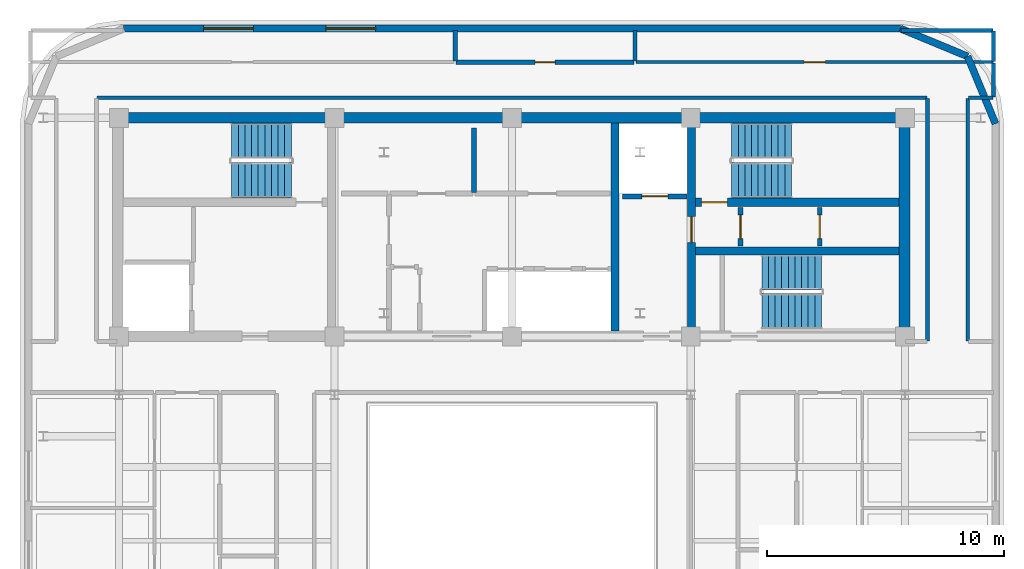
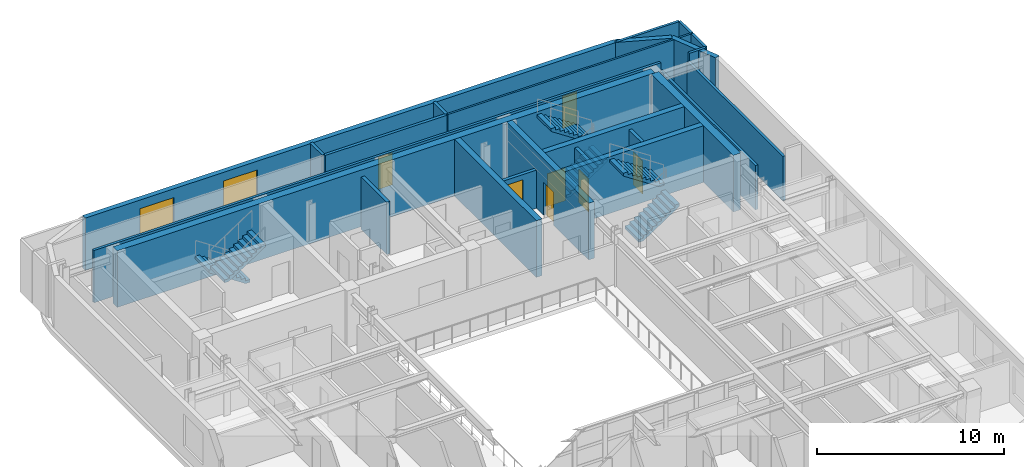
# One storey, part 11 of 14: 24 walls, 7 doors, 6 stair flights, 2 windows, 9 openings, 3 elements without a shape of their own.
"""IFC4 building model written with IfcOpenShell, lengths in metres."""

from ifc_helpers import new_model, si_unit, direction, frame, frame_2d, origin, place, context, subcontext, project, spatial, polyline, rectangle, outline, extrude, material, layer, layer_set, type_object, element, fill, aggregate, save


model = new_model("IFC4")

# Units and contexts
model_context = context("Model", 3, precision=1e-05, world=origin(), true_north=direction((0.0, 1.0)))
body_context = subcontext(model_context, "Body", "Model", "MODEL_VIEW")
ifc_project = project(units=[si_unit("LENGTHUNIT", "METRE"), si_unit("AREAUNIT", "SQUARE_METRE"), si_unit("VOLUMEUNIT", "CUBIC_METRE"), si_unit("PLANEANGLEUNIT", "RADIAN"), si_unit("MASSUNIT", "GRAM", prefix="KILO")], contexts=[model_context])

# Site, building, storey
site_placement = place(None, origin())
site = spatial("IfcSite", under=ifc_project, at=site_placement, CompositionType="ELEMENT")
building_placement = place(site_placement, origin())
building = spatial("IfcBuilding", under=site, at=building_placement, Name="Zarnavel Station Tower", CompositionType="ELEMENT")
storey_placement = place(building_placement, frame((0.0, 0.0, 251.0)))
storey = spatial("IfcBuildingStorey", under=building, at=storey_placement, Name="L68", CompositionType="ELEMENT", Elevation=251.0)

# Wall
ifc_material_1 = material(Name="Concrete C50/60", Category="concrete")
ifc_layer_1 = layer(ifc_material_1, 0.35009765625)
ifc_layer_set_1 = layer_set([ifc_layer_1], Name="CW_350")
wall_type_1 = type_object("IfcWallType", Name="CW_350", PredefinedType="SHEAR", material=ifc_layer_set_1)
wall_1_placement = place(storey_placement, frame((33.14990234375, 28.044921875, 0.0), z_axis=(0.0, 0.0, 1.0), x_axis=(0.0, 1.0, 0.0)))
element("IfcWall", 1, at=wall_1_placement, inside=storey, type_object=wall_type_1, Name="L68 Rear Core Shear Wall DIV-E", PredefinedType="SHEAR", context=body_context, shape_type="SweptSolid", body=[
    extrude(rectangle(XDim=8.780029296875, YDim=0.35009765625, at=frame_2d((4.39013671875, 0.0))), origin(), (0.0, 0.0, 1.0), 3.699951171875),
])

# Wall, opening, door
wall_2_placement = place(storey_placement, frame((36.3798828125, 28.044921875, 0.0), z_axis=(0.0, 0.0, 1.0), x_axis=(0.0, 1.0, 0.0)))
wall_2 = element("IfcWall", 2, at=wall_2_placement, inside=storey, type_object=wall_type_1, Name="L68 Rear Core Shear Wall DIV-S2", PredefinedType="SHEAR", context=body_context, shape_type="SweptSolid", body=[
    extrude(rectangle(XDim=8.780029296875, YDim=0.35009765625, at=frame_2d((4.39013671875, 0.0))), origin(), (0.0, 0.0, 1.0), 3.699951171875),
])
opening_1_placement = place(wall_2_placement, frame((3.735107421875, 0.0, 0.0)))
opening_1 = element("IfcOpeningElement", 3, at=opening_1_placement, cuts=wall_2, Name="Opening FD01", PredefinedType="OPENING", context=body_context, shape_type="SweptSolid", body=[
    extrude(rectangle(XDim=1.10009765625, YDim=2.14990234375, at=frame_2d((0.550048828125, 1.074951171875))), frame((0.0, 0.18505859375, 0.0), z_axis=(0.0, -1.0, 0.0), x_axis=(1.0, 0.0, 0.0)), (0.0, 0.0, 1.0), 0.3701171875),
])
ifc_material_2 = material(Name="Painted Galvanised Steel and Hardwood Leaf", Category="steel")
door_type_1 = type_object("IfcDoorType", Name="ID_STAIR_1100", OperationType="NOTDEFINED", PredefinedType="DOOR", material=ifc_material_2)
door_1_placement = place(opening_1_placement, origin())
door_1 = element("IfcDoor", 4, at=door_1_placement, inside=storey, type_object=door_type_1, Name="L68 East Stair Vestibule Fire Door", OperationType="SINGLE_SWING_LEFT", OverallHeight=2.14990234375, OverallWidth=1.10009765625, PredefinedType="DOOR", context=body_context, shape_type="SweptSolid", body=[
    extrude(rectangle(XDim=1.10009765625, YDim=2.14990234375, at=frame_2d((0.550048828125, 1.074951171875))), frame((0.0, 0.02490234375, 0.0), z_axis=(0.0, -1.0, 0.0), x_axis=(1.0, 0.0, 0.0)), (0.0, 0.0, 1.0), 0.050048828125),
])
fill(opening_1, door_1)

wall_3_placement = place(storey_placement, frame((45.155029296875, 33.47998046875, 0.0), z_axis=(0.0, 0.0, 1.0), x_axis=(-1.0, 0.0, 0.0)))
wall_3 = element("IfcWall", 5, at=wall_3_placement, inside=storey, type_object=wall_type_1, Name="L68 Rear Core Shear Wall DIV-H2", PredefinedType="SHEAR", context=body_context, shape_type="SweptSolid", body=[
    extrude(rectangle(XDim=8.60009765625, YDim=0.35009765625, at=frame_2d((4.300048828125, 0.0))), origin(), (0.0, 0.0, 1.0), 3.699951171875),
])
opening_2_placement = place(wall_3_placement, frame((7.2548828125, 0.0, 0.0)))
opening_2 = element("IfcOpeningElement", 6, at=opening_2_placement, cuts=wall_3, Name="Opening FD01", PredefinedType="OPENING", context=body_context, shape_type="SweptSolid", body=[
    extrude(rectangle(XDim=1.10009765625, YDim=2.14990234375, at=frame_2d((0.550048828125, 1.074951171875))), frame((0.0, 0.18505859375, 0.0), z_axis=(0.0, -1.0, 0.0), x_axis=(1.0, 0.0, 0.0)), (0.0, 0.0, 1.0), 0.3701171875),
])
door_2_placement = place(opening_2_placement, origin())
door_2 = element("IfcDoor", 7, at=door_2_placement, inside=storey, type_object=door_type_1, Name="L68 Stair ST2 Lobby Fire Door", OperationType="SINGLE_SWING_RIGHT", OverallHeight=2.14990234375, OverallWidth=1.10009765625, PredefinedType="DOOR", context=body_context, shape_type="SweptSolid", body=[
    extrude(rectangle(XDim=1.10009765625, YDim=2.14990234375, at=frame_2d((0.550048828125, 1.074951171875))), frame((0.0, 0.02490234375, 0.0), z_axis=(0.0, -1.0, 0.0), x_axis=(1.0, 0.0, 0.0)), (0.0, 0.0, 1.0), 0.050048828125),
])
fill(opening_2, door_2)

# Walls
wall_4_placement = place(storey_placement, frame((36.554931640625, 31.419921875, 0.0), z_axis=(0.0, 0.0, 1.0), x_axis=(1.0, 0.0, 0.0)))
element("IfcWall", 8, at=wall_4_placement, inside=storey, type_object=wall_type_1, Name="L68 Rear Core Shear Wall DIV-H3", PredefinedType="SHEAR", context=body_context, shape_type="SweptSolid", body=[
    extrude(rectangle(XDim=8.60009765625, YDim=0.35009765625, at=frame_2d((4.300048828125, 0.0))), origin(), (0.0, 0.0, 1.0), 3.699951171875),
])
ifc_material_3 = material(Name="Concrete C50/60", Category="concrete")
ifc_layer_2 = layer(ifc_material_3, 0.449951171875)
ifc_layer_set_2 = layer_set([ifc_layer_2], Name="CW_450")
wall_type_2 = type_object("IfcWallType", Name="CW_450", PredefinedType="SHEAR", material=ifc_layer_set_2)
wall_5_placement = place(storey_placement, frame((12.14990234375, 37.050048828125, 0.0), z_axis=(0.0, 0.0, 1.0), x_axis=(1.0, 0.0, 0.0)))
element("IfcWall", 9, at=wall_5_placement, inside=storey, type_object=wall_type_2, Name="L68 Rear Core Shear Wall N", PredefinedType="SHEAR", context=body_context, shape_type="SweptSolid", body=[
    extrude(rectangle(XDim=33.22998046875, YDim=0.449951171875, at=frame_2d((16.614990234375, 0.0))), origin(), (0.0, 0.0, 1.0), 3.699951171875),
])
wall_6_placement = place(storey_placement, frame((45.3798828125, 28.044921875, 0.0), z_axis=(0.0, 0.0, 1.0), x_axis=(0.0, 1.0, 0.0)))
element("IfcWall", 10, at=wall_6_placement, inside=storey, type_object=wall_type_2, Name="L68 Rear Core Shear Wall E", PredefinedType="SHEAR", context=body_context, shape_type="SweptSolid", body=[
    extrude(rectangle(XDim=8.780029296875, YDim=0.449951171875, at=frame_2d((4.39013671875, 0.0))), origin(), (0.0, 0.0, 1.0), 3.699951171875),
])
ifc_material_4 = material(Name="Precast concrete C45/55 (Dark Basalt Finish)", Category="masonry")
ifc_layer_3 = layer(ifc_material_4, 0.300048828125)
ifc_layer_set_3 = layer_set([ifc_layer_3], Name="EW_BASALT_300")
wall_type_3 = type_object("IfcWallType", Name="EW_BASALT_300", PredefinedType="SOLIDWALL", material=ifc_layer_set_3)
for number, where, z_axis, x_axis, name in (
    (11, (48.04248046875, 39.642578125, 0.0), (0.0, 0.0, 1.0), (0.382704529509, -0.923870793506, 0.0), "L68 Exterior Basalt Masonry Frame Wall 04"),
    (12, (45.199951171875, 40.820068359375, 0.0), (0.0, 0.0, 1.0), (0.923870793506, -0.382704529509, 0.0), "L68 Exterior Basalt Masonry Frame Wall 05"),
):
    element("IfcWall", number, at=place(storey_placement, frame(where, z_axis=z_axis, x_axis=x_axis)), inside=storey, type_object=wall_type_3, Name=name, PredefinedType="SOLIDWALL", context=body_context, shape_type="SweptSolid", body=[
        extrude(rectangle(XDim=3.07666015625, YDim=0.300048828125, at=frame_2d((1.538330078125, 0.0))), origin(), (0.0, 0.0, 1.0), 3.419921875),
    ])

# Wall, openings, windows
wall_7_placement = place(storey_placement, frame((12.39990234375, 40.820068359375, 0.0), z_axis=(0.0, 0.0, 1.0), x_axis=(1.0, 0.0, 0.0)))
wall_7 = element("IfcWall", 13, at=wall_7_placement, inside=storey, type_object=wall_type_3, Name="L68 Exterior Basalt Masonry Frame Wall 06", PredefinedType="SOLIDWALL", context=body_context, shape_type="SweptSolid", body=[
    extrude(rectangle(XDim=32.800048828125, YDim=0.300048828125, at=frame_2d((16.39990234375, 0.0))), origin(), (0.0, 0.0, 1.0), 3.419921875),
])
opening_3_placement = place(wall_7_placement, frame((3.3798828125, 0.0, 0.75)))
opening_3 = element("IfcOpeningElement", 14, at=opening_3_placement, cuts=wall_7, Name="Opening WN05", PredefinedType="OPENING", context=body_context, shape_type="SweptSolid", body=[
    extrude(rectangle(XDim=2.10009765625, YDim=2.10009765625, at=frame_2d((1.050048828125, 1.050048828125))), frame((0.0, 0.159912109375, 0.0), z_axis=(0.0, -1.0, 0.0), x_axis=(1.0, 0.0, 0.0)), (0.0, 0.0, 1.0), 0.320068359375),
])
opening_4_placement = place(wall_7_placement, frame((8.5400390625, 0.0, 0.75)))
opening_4 = element("IfcOpeningElement", 15, at=opening_4_placement, cuts=wall_7, Name="Opening WN05", PredefinedType="OPENING", context=body_context, shape_type="SweptSolid", body=[
    extrude(rectangle(XDim=2.10009765625, YDim=2.10009765625, at=frame_2d((1.050048828125, 1.050048828125))), frame((0.0, 0.159912109375, 0.0), z_axis=(0.0, -1.0, 0.0), x_axis=(1.0, 0.0, 0.0)), (0.0, 0.0, 1.0), 0.320068359375),
])
ifc_material_5 = material(Name="Thermally Broken Black Aluminium and Low-E Dark Glass", Category="aluminium")
window_type = type_object("IfcWindowType", Name="WN_2100x2100", PartitioningType="TRIPLE_PANEL_VERTICAL", PredefinedType="WINDOW", material=ifc_material_5)
window_1_placement = place(opening_3_placement, origin())
window_1 = element("IfcWindow", 16, at=window_1_placement, inside=storey, type_object=window_type, Name="L68 Recessed Facade Window 01", OverallHeight=2.10009765625, OverallWidth=2.10009765625, PartitioningType="SINGLE_PANEL", PredefinedType="WINDOW", context=body_context, shape_type="SweptSolid", body=[
    extrude(rectangle(XDim=2.10009765625, YDim=2.10009765625, at=frame_2d((1.050048828125, 1.050048828125))), frame((0.0, 0.030029296875, 0.0), z_axis=(0.0, -1.0, 0.0), x_axis=(1.0, 0.0, 0.0)), (0.0, 0.0, 1.0), 0.06005859375),
])
fill(opening_3, window_1)
window_2_placement = place(opening_4_placement, origin())
window_2 = element("IfcWindow", 17, at=window_2_placement, inside=storey, type_object=window_type, Name="L68 Recessed Facade Window 02", OverallHeight=2.10009765625, OverallWidth=2.10009765625, PartitioningType="SINGLE_PANEL", PredefinedType="WINDOW", context=body_context, shape_type="SweptSolid", body=[
    extrude(rectangle(XDim=2.10009765625, YDim=2.10009765625, at=frame_2d((1.050048828125, 1.050048828125))), frame((0.0, 0.030029296875, 0.0), z_axis=(0.0, -1.0, 0.0), x_axis=(1.0, 0.0, 0.0)), (0.0, 0.0, 1.0), 0.06005859375),
])
fill(opening_4, window_2)

# Walls
ifc_material_6 = material(Name="Gypsum Twin-Stud Acoustic Fire Partition", Category="concrete")
ifc_layer_4 = layer(ifc_material_6, 0.159912109375)
ifc_layer_set_4 = layer_set([ifc_layer_4], Name="PT_DEMISE_160")
wall_type_4 = type_object("IfcWallType", Name="PT_DEMISE_160", PredefinedType="PARTITIONING", material=ifc_layer_set_4)
for number, where, z_axis, x_axis, name in (
    (18, (46.35009765625, 27.6298828125, 0.0), (0.0, 0.0, 1.0), (0.0, 1.0, 0.0), "L68 Enclosure Wall COR-E"),
    (19, (48.050048828125, 27.6298828125, 0.0), (0.0, 0.0, 1.0), (0.0, 1.0, 0.0), "L68 Enclosure Wall COR-E"),
):
    element("IfcWall", number, at=place(storey_placement, frame(where, z_axis=z_axis, x_axis=x_axis)), inside=storey, type_object=wall_type_4, Name=name, PredefinedType="PARTITIONING", context=body_context, shape_type="SweptSolid", body=[
        extrude(rectangle(XDim=10.240234375, YDim=0.159912109375, at=frame_2d((5.1201171875, 0.0))), origin(), (0.0, 0.0, 1.0), 2.89990234375),
    ])
wall_8_placement = place(storey_placement, frame((11.280029296875, 37.89990234375, 0.0), z_axis=(0.0, 0.0, 1.0), x_axis=(1.0, 0.0, 0.0)))
element("IfcWall", 20, at=wall_8_placement, inside=storey, type_object=wall_type_4, Name="L68 Enclosure Wall COR-N", PredefinedType="PARTITIONING", context=body_context, shape_type="SweptSolid", body=[
    extrude(rectangle(XDim=35.0400390625, YDim=0.159912109375, at=frame_2d((17.52001953125, 0.0))), origin(), (0.0, 0.0, 1.0), 3.419921875),
])
wall_9_placement = place(storey_placement, frame((48.080078125, 37.89990234375, 0.0), z_axis=(0.0, 0.0, 1.0), x_axis=(1.0, 0.0, 0.0)))
element("IfcWall", 21, at=wall_9_placement, inside=storey, type_object=wall_type_4, Name="L68 Enclosure Wall COR-N", PredefinedType="PARTITIONING", context=body_context, shape_type="SweptSolid", body=[
    extrude(rectangle(XDim=1.030029296875, YDim=0.159912109375, at=frame_2d((0.51513671875, 0.0))), origin(), (0.0, 0.0, 1.0), 3.419921875),
])
wall_10_placement = place(storey_placement, frame((49.139892578125, 37.929931640625, 0.0), z_axis=(0.0, 0.0, 1.0), x_axis=(0.0, 1.0, 0.0)))
element("IfcWall", 22, at=wall_10_placement, inside=storey, type_object=wall_type_4, Name="L68 Enclosure Wall COR-N", PredefinedType="PARTITIONING", context=body_context, shape_type="SweptSolid", body=[
    extrude(rectangle(XDim=1.440185546875, YDim=0.159912109375, at=frame_2d((0.72021484375, 0.0))), origin(), (0.0, 0.0, 1.0), 3.419921875),
])
wall_11_placement = place(storey_placement, frame((45.22998046875, 40.739990234375, 0.0), z_axis=(0.0, 0.0, 1.0), x_axis=(1.0, 0.0, 0.0)))
element("IfcWall", 23, at=wall_11_placement, inside=storey, type_object=wall_type_4, Name="L68 Enclosure Wall NSTR", PredefinedType="PARTITIONING", context=body_context, shape_type="SweptSolid", body=[
    extrude(rectangle(XDim=3.880126953125, YDim=0.159912109375, at=frame_2d((1.93994140625, 0.0))), origin(), (0.0, 0.0, 1.0), 3.419921875),
])
wall_12_placement = place(storey_placement, frame((49.139892578125, 39.429931640625, 0.0), z_axis=(0.0, 0.0, 1.0), x_axis=(0.0, 1.0, 0.0)))
element("IfcWall", 24, at=wall_12_placement, inside=storey, type_object=wall_type_4, Name="L68 Enclosure Wall NSTR", PredefinedType="PARTITIONING", context=body_context, shape_type="SweptSolid", body=[
    extrude(rectangle(XDim=1.280029296875, YDim=0.159912109375, at=frame_2d((0.64013671875, 0.0))), origin(), (0.0, 0.0, 1.0), 3.419921875),
])

# Wall, opening, door
ifc_material_7 = material(Name="Gypsum Metal-Stud Interior Partition", Category="concrete")
ifc_layer_5 = layer(ifc_material_7, 0.1201171875)
ifc_layer_set_5 = layer_set([ifc_layer_5], Name="PT_ROOM_120")
wall_type_5 = type_object("IfcWallType", Name="PT_ROOM_120", PredefinedType="PARTITIONING", material=ifc_layer_set_5)
wall_13_placement = place(storey_placement, frame((34.0400390625, 39.39990234375, 0.0), z_axis=(0.0, 0.0, 1.0), x_axis=(1.0, 0.0, 0.0)))
wall_13 = element("IfcWall", 25, at=wall_13_placement, inside=storey, type_object=wall_type_5, Name="L68 Partition COR-N-NSTR", PredefinedType="PARTITIONING", context=body_context, shape_type="SweptSolid", body=[
    extrude(rectangle(XDim=15.099853515625, YDim=0.1201171875, at=frame_2d((7.5498046875, 0.0))), origin(), (0.0, 0.0, 1.0), 3.419921875),
])
opening_5_placement = place(wall_13_placement, frame((7.10009765625, 0.0, 0.0)))
opening_5 = element("IfcOpeningElement", 26, at=opening_5_placement, cuts=wall_13, Name="Opening ID01", PredefinedType="OPENING", context=body_context, shape_type="SweptSolid", body=[
    extrude(rectangle(XDim=0.89990234375, YDim=2.10009765625, at=frame_2d((0.449951171875, 1.050048828125))), frame((0.0, 0.070068359375, 0.0), z_axis=(0.0, -1.0, 0.0), x_axis=(1.0, 0.0, 0.0)), (0.0, 0.0, 1.0), 0.14013671875),
])
ifc_material_8 = material(Name="Painted Galvanised Steel and Hardwood Leaf", Category="steel")
door_type_2 = type_object("IfcDoorType", Name="ID_ROOM_900", OperationType="NOTDEFINED", PredefinedType="DOOR", material=ifc_material_8)
door_3_placement = place(opening_5_placement, origin())
door_3 = element("IfcDoor", 27, at=door_3_placement, inside=storey, type_object=door_type_2, Name="L68 Door COR-N-NSTR", OperationType="SINGLE_SWING_RIGHT", OverallHeight=2.10009765625, OverallWidth=0.89990234375, PredefinedType="DOOR", context=body_context, shape_type="SweptSolid", body=[
    extrude(rectangle(XDim=0.89990234375, YDim=2.10009765625, at=frame_2d((0.449951171875, 1.050048828125))), frame((0.0, 0.02490234375, 0.0), z_axis=(0.0, -1.0, 0.0), x_axis=(1.0, 0.0, 0.0)), (0.0, 0.0, 1.0), 0.050048828125),
])
fill(opening_5, door_3)

ifc_material_9 = material(Name="Precast concrete C45/55 (Fire Shaft Blockwork)", Category="masonry")
ifc_layer_6 = layer(ifc_material_9, 0.199951171875)
ifc_layer_set_6 = layer_set([ifc_layer_6], Name="PT_SHAFT_200")
wall_type_6 = type_object("IfcWallType", Name="PT_SHAFT_200", PredefinedType="PARTITIONING", material=ifc_layer_set_6)
wall_14_placement = place(storey_placement, frame((33.47509765625, 33.72998046875, 0.0), z_axis=(0.0, 0.0, 1.0), x_axis=(1.0, 0.0, 0.0)))
wall_14 = element("IfcWall", 28, at=wall_14_placement, inside=storey, type_object=wall_type_6, Name="L68 Lift FFL-02 Shaft Front Wall", PredefinedType="PARTITIONING", context=body_context, shape_type="SweptSolid", body=[
    extrude(rectangle(XDim=2.724853515625, YDim=0.199951171875, at=frame_2d((1.3623046875, 0.0))), origin(), (0.0, 0.0, 1.0), 2.489990234375),
])
opening_6_placement = place(wall_14_placement, frame((0.8125, 0.0, 0.0)))
opening_6 = element("IfcOpeningElement", 29, at=opening_6_placement, cuts=wall_14, Name="Opening LD01", PredefinedType="OPENING", context=body_context, shape_type="SweptSolid", body=[
    extrude(rectangle(XDim=1.10009765625, YDim=2.14990234375, at=frame_2d((0.550048828125, 1.074951171875))), frame((0.0, 0.10986328125, 0.0), z_axis=(0.0, -1.0, 0.0), x_axis=(1.0, 0.0, 0.0)), (0.0, 0.0, 1.0), 0.219970703125),
])
ifc_material_10 = material(Name="Painted Galvanised Steel and Hardwood Leaf", Category="steel")
door_type_3 = type_object("IfcDoorType", Name="LD_FF_1100", OperationType="DOUBLE_DOOR_SLIDING", PredefinedType="DOOR", material=ifc_material_10)
door_4_placement = place(opening_6_placement, origin())
door_4 = element("IfcDoor", 30, at=door_4_placement, inside=storey, type_object=door_type_3, Name="L68 Lift FFL-02 Sliding Landing Door", OperationType="DOUBLE_DOOR_SLIDING", OverallHeight=2.14990234375, OverallWidth=1.10009765625, PredefinedType="DOOR", context=body_context, shape_type="SweptSolid", body=[
    extrude(rectangle(XDim=1.10009765625, YDim=2.14990234375, at=frame_2d((0.550048828125, 1.074951171875))), frame((0.0, 0.02490234375, 0.0), z_axis=(0.0, -1.0, 0.0), x_axis=(1.0, 0.0, 0.0)), (0.0, 0.0, 1.0), 0.050048828125),
])
fill(opening_6, door_4)

wall_15_placement = place(storey_placement, frame((38.449951171875, 31.639892578125, 0.0), z_axis=(0.0, 0.0, 1.0), x_axis=(0.0, 1.0, 0.0)))
wall_15 = element("IfcWall", 31, at=wall_15_placement, inside=storey, type_object=wall_type_6, Name="L68 Partition ESTV-CEA", PredefinedType="PARTITIONING", context=body_context, shape_type="SweptSolid", body=[
    extrude(rectangle(XDim=1.6201171875, YDim=0.199951171875, at=frame_2d((0.81005859375, 0.0))), origin(), (0.0, 0.0, 1.0), 3.419921875),
])
opening_7_placement = place(wall_15_placement, frame((0.31005859375, 0.0, 0.0)))
opening_7 = element("IfcOpeningElement", 32, at=opening_7_placement, cuts=wall_15, Name="Opening FD02", PredefinedType="OPENING", context=body_context, shape_type="SweptSolid", body=[
    extrude(rectangle(XDim=1.0, YDim=2.14990234375, at=frame_2d((0.5, 1.074951171875))), frame((0.0, 0.10986328125, 0.0), z_axis=(0.0, -1.0, 0.0), x_axis=(1.0, 0.0, 0.0)), (0.0, 0.0, 1.0), 0.219970703125),
])
ifc_material_11 = material(Name="Painted Galvanised Steel and Hardwood Leaf", Category="steel")
door_type_4 = type_object("IfcDoorType", Name="ID_ENTRY_1000", OperationType="NOTDEFINED", PredefinedType="DOOR", material=ifc_material_11)
door_5_placement = place(opening_7_placement, origin())
door_5 = element("IfcDoor", 33, at=door_5_placement, inside=storey, type_object=door_type_4, Name="L68 Door ESTV-CEA", OperationType="SINGLE_SWING_LEFT", OverallHeight=2.14990234375, OverallWidth=1.0, PredefinedType="DOOR", context=body_context, shape_type="SweptSolid", body=[
    extrude(rectangle(XDim=1.0, YDim=2.14990234375, at=frame_2d((0.5, 1.074951171875))), frame((0.0, 0.02490234375, 0.0), z_axis=(0.0, -1.0, 0.0), x_axis=(1.0, 0.0, 0.0)), (0.0, 0.0, 1.0), 0.050048828125),
])
fill(opening_7, door_5)

wall_16_placement = place(storey_placement, frame((41.800048828125, 31.639892578125, 0.0), z_axis=(0.0, 0.0, 1.0), x_axis=(0.0, 1.0, 0.0)))
wall_16 = element("IfcWall", 34, at=wall_16_placement, inside=storey, type_object=wall_type_6, Name="L68 Partition CEA-CEB", PredefinedType="PARTITIONING", context=body_context, shape_type="SweptSolid", body=[
    extrude(rectangle(XDim=1.6201171875, YDim=0.199951171875, at=frame_2d((0.81005859375, 0.0))), origin(), (0.0, 0.0, 1.0), 3.419921875),
])
opening_8_placement = place(wall_16_placement, frame((0.31005859375, 0.0, 0.0)))
opening_8 = element("IfcOpeningElement", 35, at=opening_8_placement, cuts=wall_16, Name="Opening FD02", PredefinedType="OPENING", context=body_context, shape_type="SweptSolid", body=[
    extrude(rectangle(XDim=1.0, YDim=2.14990234375, at=frame_2d((0.5, 1.074951171875))), frame((0.0, 0.10986328125, 0.0), z_axis=(0.0, -1.0, 0.0), x_axis=(1.0, 0.0, 0.0)), (0.0, 0.0, 1.0), 0.219970703125),
])
door_6_placement = place(opening_8_placement, origin())
door_6 = element("IfcDoor", 36, at=door_6_placement, inside=storey, type_object=door_type_4, Name="L68 Door CEA-CEB", OperationType="SINGLE_SWING_RIGHT", OverallHeight=2.14990234375, OverallWidth=1.0, PredefinedType="DOOR", context=body_context, shape_type="SweptSolid", body=[
    extrude(rectangle(XDim=1.0, YDim=2.14990234375, at=frame_2d((0.5, 1.074951171875))), frame((0.0, 0.02490234375, 0.0), z_axis=(0.0, -1.0, 0.0), x_axis=(1.0, 0.0, 0.0)), (0.0, 0.0, 1.0), 0.050048828125),
])
fill(opening_8, door_6)

# Wall
wall_17_placement = place(storey_placement, frame((27.199951171875, 33.889892578125, 0.0), z_axis=(0.0, 0.0, 1.0), x_axis=(0.0, 1.0, 0.0)))
element("IfcWall", 37, at=wall_17_placement, inside=storey, type_object=wall_type_6, Name="L68 Partition FB2A-FB2B", PredefinedType="PARTITIONING", context=body_context, shape_type="SweptSolid", body=[
    extrude(rectangle(XDim=2.72021484375, YDim=0.199951171875, at=frame_2d((1.360107421875, 0.0))), origin(), (0.0, 0.0, 1.0), 3.419921875),
])

# Wall, opening, door
ifc_material_12 = material(Name="Moisture-Resistant Plumbing Chase Wall", Category="concrete")
ifc_layer_7 = layer(ifc_material_12, 0.179931640625)
ifc_layer_set_7 = layer_set([ifc_layer_7], Name="PW_PLUMB_180")
wall_type_7 = type_object("IfcWallType", Name="PW_PLUMB_180", PredefinedType="PLUMBINGWALL", material=ifc_layer_set_7)
wall_18_placement = place(storey_placement, frame((26.43994140625, 39.39990234375, 0.0), z_axis=(0.0, 0.0, 1.0), x_axis=(1.0, 0.0, 0.0)))
wall_18 = element("IfcWall", 38, at=wall_18_placement, inside=storey, type_object=wall_type_7, Name="L68 Partition COR-N-NWC", PredefinedType="PLUMBINGWALL", context=body_context, shape_type="SweptSolid", body=[
    extrude(rectangle(XDim=7.52001953125, YDim=0.179931640625, at=frame_2d((3.760009765625, 0.0))), origin(), (0.0, 0.0, 1.0), 3.419921875),
])
opening_9_placement = place(wall_18_placement, frame((3.3349609375, 0.0, 0.0)))
opening_9 = element("IfcOpeningElement", 39, at=opening_9_placement, cuts=wall_18, Name="Opening ID02", PredefinedType="OPENING", context=body_context, shape_type="SweptSolid", body=[
    extrude(rectangle(XDim=0.85009765625, YDim=2.10009765625, at=frame_2d((0.425048828125, 1.050048828125))), frame((0.0, 0.099853515625, 0.0), z_axis=(0.0, -1.0, 0.0), x_axis=(1.0, 0.0, 0.0)), (0.0, 0.0, 1.0), 0.199951171875),
])
ifc_material_13 = material(Name="Painted Galvanised Steel and Hardwood Leaf", Category="steel")
door_type_5 = type_object("IfcDoorType", Name="ID_BATH_850", OperationType="NOTDEFINED", PredefinedType="DOOR", material=ifc_material_13)
door_7_placement = place(opening_9_placement, origin())
door_7 = element("IfcDoor", 40, at=door_7_placement, inside=storey, type_object=door_type_5, Name="L68 Door COR-N-NWC", OperationType="SINGLE_SWING_LEFT", OverallHeight=2.10009765625, OverallWidth=0.85009765625, PredefinedType="DOOR", context=body_context, shape_type="SweptSolid", body=[
    extrude(rectangle(XDim=0.85009765625, YDim=2.10009765625, at=frame_2d((0.425048828125, 1.050048828125))), frame((0.0, 0.02490234375, 0.0), z_axis=(0.0, -1.0, 0.0), x_axis=(1.0, 0.0, 0.0)), (0.0, 0.0, 1.0), 0.050048828125),
])
fill(opening_9, door_7)

# Walls
for number, where, z_axis, x_axis, name in (
    (41, (26.39990234375, 39.43994140625, 0.0), (0.0, 0.0, 1.0), (0.0, 1.0, 0.0), "L68 Partition NSTD-NWC"),
    (42, (34.0, 39.43994140625, 0.0), (0.0, 0.0, 1.0), (0.0, 1.0, 0.0), "L68 Partition NWC-NSTR"),
):
    element("IfcWall", number, at=place(storey_placement, frame(where, z_axis=z_axis, x_axis=x_axis)), inside=storey, type_object=wall_type_7, Name=name, PredefinedType="PLUMBINGWALL", context=body_context, shape_type="SweptSolid", body=[
        extrude(rectangle(XDim=1.300048828125, YDim=0.179931640625, at=frame_2d((0.64990234375, 0.0))), origin(), (0.0, 0.0, 1.0), 3.419921875),
    ])

# Stair, stair flights
ifc_material_14 = material(Name="Concrete C45/55", Category="concrete")
stair_type = type_object("IfcStairType", Name="ST_CORE_150", PredefinedType="HALF_TURN_STAIR", material=ifc_material_14)
stair_1_placement = place(storey_placement, origin())
stair_1 = element("IfcStair", 43, at=stair_1_placement, inside=storey, type_object=stair_type, Name="L68 Core Exit Stair ST1", PredefinedType="HALF_TURN_STAIR")
ifc_material_15 = material(Name="Concrete C45/55", Category="concrete")
ifc_layer_8 = layer(ifc_material_15, 0.179931640625)
ifc_layer_set_8 = layer_set([ifc_layer_8], Name="ST_CORE_150_FLT")
stair_flight_type = type_object("IfcStairFlightType", Name="ST_CORE_150_FLT", PredefinedType="STRAIGHT", material=ifc_layer_set_8)
stair_flight_1_placement = place(storey_placement, frame((19.47998046875, 36.070068359375, 0.0), z_axis=(0.0, 0.0, 1.0), x_axis=(-1.0, 0.0, 0.0)))
stair_flight_1 = element("IfcStairFlight", 44, at=stair_flight_1_placement, type_object=stair_flight_type, Name="ST1 flight 1", NumberOfRisers=10, NumberOfTreads=9, PredefinedType="STRAIGHT", RiserHeight=0.185, TreadLength=0.28, context=body_context, shape_type="SweptSolid", body=[
    extrude(outline(polyline([(0.0, 0.0), (0.0, 0.18505859375), (0.280029296875, 0.18505859375), (0.280029296875, 0.3701171875), (0.56005859375, 0.3701171875), (0.56005859375, 0.554931640625), (0.840087890625, 0.554931640625), (0.840087890625, 0.739990234375), (1.1201171875, 0.739990234375), (1.1201171875, 0.925048828125), (1.39990234375, 0.925048828125), (1.39990234375, 1.110107421875), (1.679931640625, 1.110107421875), (1.679931640625, 1.294921875), (1.9599609375, 1.294921875), (1.9599609375, 1.47998046875), (2.239990234375, 1.47998046875), (2.239990234375, 1.6650390625), (2.52001953125, 1.6650390625), (2.52001953125, 1.85009765625), (2.52001953125, 1.4853515625), (0.27197265625, 0.0), (0.0, 0.0)])), frame((0.0, 0.75, 0.0), z_axis=(0.0, -1.0, 0.0), x_axis=(1.0, 0.0, 0.0)), (0.0, 0.0, 1.0), 1.5),
])
stair_flight_2_placement = place(storey_placement, frame((16.9599609375, 34.409912109375, 1.85009765625), z_axis=(0.0, 0.0, 1.0), x_axis=(1.0, 0.0, 0.0)))
stair_flight_2 = element("IfcStairFlight", 45, at=stair_flight_2_placement, type_object=stair_flight_type, Name="ST1 flight 2", NumberOfRisers=10, NumberOfTreads=9, PredefinedType="STRAIGHT", RiserHeight=0.185, TreadLength=0.28, context=body_context, shape_type="SweptSolid", body=[
    extrude(outline(polyline([(0.0, 0.0), (0.0, 0.18505859375), (0.280029296875, 0.18505859375), (0.280029296875, 0.3701171875), (0.56005859375, 0.3701171875), (0.56005859375, 0.554931640625), (0.840087890625, 0.554931640625), (0.840087890625, 0.739990234375), (1.1201171875, 0.739990234375), (1.1201171875, 0.925048828125), (1.39990234375, 0.925048828125), (1.39990234375, 1.110107421875), (1.679931640625, 1.110107421875), (1.679931640625, 1.294921875), (1.9599609375, 1.294921875), (1.9599609375, 1.47998046875), (2.239990234375, 1.47998046875), (2.239990234375, 1.6650390625), (2.52001953125, 1.6650390625), (2.52001953125, 1.85009765625), (2.52001953125, 1.4853515625), (0.27197265625, 0.0), (0.0, 0.0)])), frame((0.0, 0.75, 0.0), z_axis=(0.0, -1.0, 0.0), x_axis=(1.0, 0.0, 0.0)), (0.0, 0.0, 1.0), 1.5),
])
aggregate(stair_1, [stair_flight_1, stair_flight_2])

stair_2_placement = place(storey_placement, origin())
stair_2 = element("IfcStair", 46, at=stair_2_placement, inside=storey, type_object=stair_type, Name="L68 Core Exit Stair ST2", PredefinedType="HALF_TURN_STAIR")
stair_flight_3_placement = place(storey_placement, frame((38.080078125, 34.409912109375, 0.0), z_axis=(0.0, 0.0, 1.0), x_axis=(1.0, 0.0, 0.0)))
stair_flight_3 = element("IfcStairFlight", 47, at=stair_flight_3_placement, type_object=stair_flight_type, Name="ST2 flight 1", NumberOfRisers=10, NumberOfTreads=9, PredefinedType="STRAIGHT", RiserHeight=0.185, TreadLength=0.28, context=body_context, shape_type="SweptSolid", body=[
    extrude(outline(polyline([(0.0, 0.0), (0.0, 0.18505859375), (0.280029296875, 0.18505859375), (0.280029296875, 0.3701171875), (0.56005859375, 0.3701171875), (0.56005859375, 0.554931640625), (0.840087890625, 0.554931640625), (0.840087890625, 0.739990234375), (1.1201171875, 0.739990234375), (1.1201171875, 0.925048828125), (1.39990234375, 0.925048828125), (1.39990234375, 1.110107421875), (1.679931640625, 1.110107421875), (1.679931640625, 1.294921875), (1.9599609375, 1.294921875), (1.9599609375, 1.47998046875), (2.239990234375, 1.47998046875), (2.239990234375, 1.6650390625), (2.52001953125, 1.6650390625), (2.52001953125, 1.85009765625), (2.52001953125, 1.4853515625), (0.27197265625, 0.0), (0.0, 0.0)])), frame((0.0, 0.75, 0.0), z_axis=(0.0, -1.0, 0.0), x_axis=(1.0, 0.0, 0.0)), (0.0, 0.0, 1.0), 1.5),
])
stair_flight_4_placement = place(storey_placement, frame((40.60009765625, 36.070068359375, 1.85009765625), z_axis=(0.0, 0.0, 1.0), x_axis=(-1.0, 0.0, 0.0)))
stair_flight_4 = element("IfcStairFlight", 48, at=stair_flight_4_placement, type_object=stair_flight_type, Name="ST2 flight 2", NumberOfRisers=10, NumberOfTreads=9, PredefinedType="STRAIGHT", RiserHeight=0.185, TreadLength=0.28, context=body_context, shape_type="SweptSolid", body=[
    extrude(outline(polyline([(0.0, 0.0), (0.0, 0.18505859375), (0.280029296875, 0.18505859375), (0.280029296875, 0.3701171875), (0.56005859375, 0.3701171875), (0.56005859375, 0.554931640625), (0.840087890625, 0.554931640625), (0.840087890625, 0.739990234375), (1.1201171875, 0.739990234375), (1.1201171875, 0.925048828125), (1.39990234375, 0.925048828125), (1.39990234375, 1.110107421875), (1.679931640625, 1.110107421875), (1.679931640625, 1.294921875), (1.9599609375, 1.294921875), (1.9599609375, 1.47998046875), (2.239990234375, 1.47998046875), (2.239990234375, 1.6650390625), (2.52001953125, 1.6650390625), (2.52001953125, 1.85009765625), (2.52001953125, 1.4853515625), (0.27197265625, 0.0), (0.0, 0.0)])), frame((0.0, 0.75, 0.0), z_axis=(0.0, -1.0, 0.0), x_axis=(1.0, 0.0, 0.0)), (0.0, 0.0, 1.0), 1.5),
])
aggregate(stair_2, [stair_flight_3, stair_flight_4])

stair_3_placement = place(storey_placement, origin())
stair_3 = element("IfcStair", 49, at=stair_3_placement, inside=storey, type_object=stair_type, Name="L68 Core Exit Stair ST3", PredefinedType="HALF_TURN_STAIR")
stair_flight_5_placement = place(storey_placement, frame((39.35009765625, 28.8701171875, 0.0), z_axis=(0.0, 0.0, 1.0), x_axis=(1.0, 0.0, 0.0)))
stair_flight_5 = element("IfcStairFlight", 50, at=stair_flight_5_placement, type_object=stair_flight_type, Name="ST3 flight 1", NumberOfRisers=10, NumberOfTreads=9, PredefinedType="STRAIGHT", RiserHeight=0.185, TreadLength=0.28, context=body_context, shape_type="SweptSolid", body=[
    extrude(outline(polyline([(0.0, 0.0), (0.0, 0.18505859375), (0.280029296875, 0.18505859375), (0.280029296875, 0.3701171875), (0.56005859375, 0.3701171875), (0.56005859375, 0.554931640625), (0.840087890625, 0.554931640625), (0.840087890625, 0.739990234375), (1.1201171875, 0.739990234375), (1.1201171875, 0.925048828125), (1.39990234375, 0.925048828125), (1.39990234375, 1.110107421875), (1.679931640625, 1.110107421875), (1.679931640625, 1.294921875), (1.9599609375, 1.294921875), (1.9599609375, 1.47998046875), (2.239990234375, 1.47998046875), (2.239990234375, 1.6650390625), (2.52001953125, 1.6650390625), (2.52001953125, 1.85009765625), (2.52001953125, 1.4853515625), (0.27197265625, 0.0), (0.0, 0.0)])), frame((0.0, 0.75, 0.0), z_axis=(0.0, -1.0, 0.0), x_axis=(1.0, 0.0, 0.0)), (0.0, 0.0, 1.0), 1.5),
])
stair_flight_6_placement = place(storey_placement, frame((41.8701171875, 30.530029296875, 1.85009765625), z_axis=(0.0, 0.0, 1.0), x_axis=(-1.0, 0.0, 0.0)))
stair_flight_6 = element("IfcStairFlight", 51, at=stair_flight_6_placement, type_object=stair_flight_type, Name="ST3 flight 2", NumberOfRisers=10, NumberOfTreads=9, PredefinedType="STRAIGHT", RiserHeight=0.185, TreadLength=0.28, context=body_context, shape_type="SweptSolid", body=[
    extrude(outline(polyline([(0.0, 0.0), (0.0, 0.18505859375), (0.280029296875, 0.18505859375), (0.280029296875, 0.3701171875), (0.56005859375, 0.3701171875), (0.56005859375, 0.554931640625), (0.840087890625, 0.554931640625), (0.840087890625, 0.739990234375), (1.1201171875, 0.739990234375), (1.1201171875, 0.925048828125), (1.39990234375, 0.925048828125), (1.39990234375, 1.110107421875), (1.679931640625, 1.110107421875), (1.679931640625, 1.294921875), (1.9599609375, 1.294921875), (1.9599609375, 1.47998046875), (2.239990234375, 1.47998046875), (2.239990234375, 1.6650390625), (2.52001953125, 1.6650390625), (2.52001953125, 1.85009765625), (2.52001953125, 1.4853515625), (0.27197265625, 0.0), (0.0, 0.0)])), frame((0.0, 0.75, 0.0), z_axis=(0.0, -1.0, 0.0), x_axis=(1.0, 0.0, 0.0)), (0.0, 0.0, 1.0), 1.5),
])
aggregate(stair_3, [stair_flight_5, stair_flight_6])

save(model, "model.ifc")
